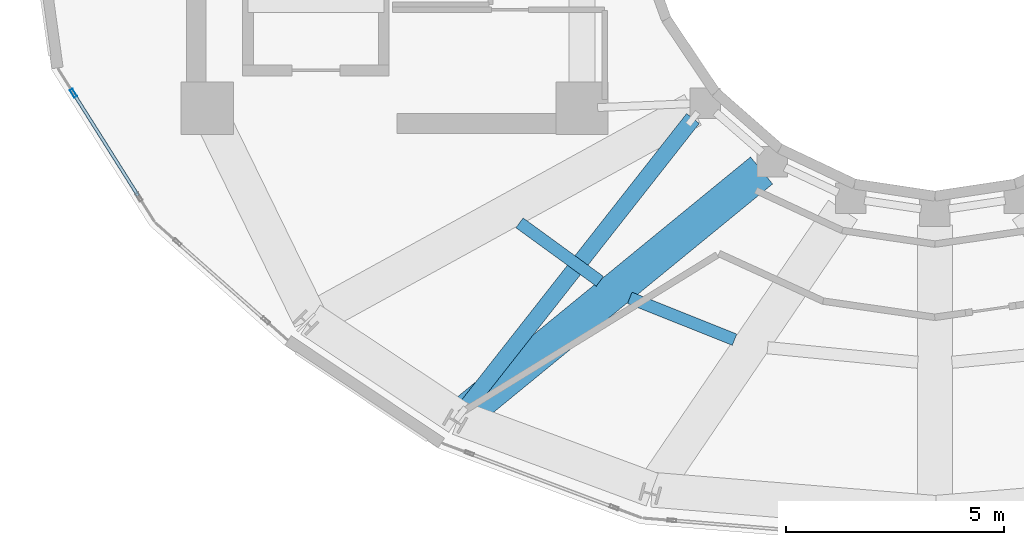
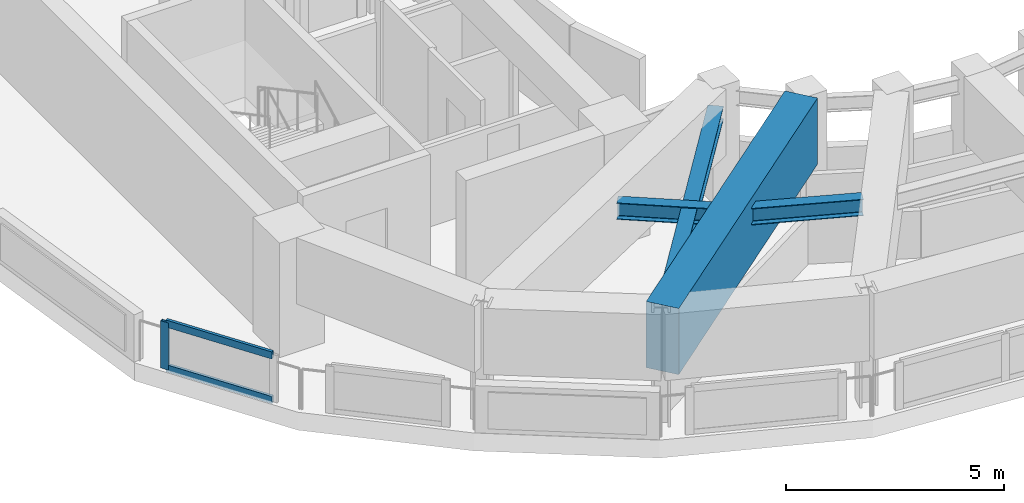
# One storey, part 3 of 21: 4 members, 3 beams, 1 element without a shape of its own.
"""IFC4 building model written with IfcOpenShell, lengths in metres."""

from ifc_helpers import new_model, si_unit, direction, frame, origin, origin_2d, place, context, subcontext, project, spatial, rectangle, hollow_rectangle, i_section, extrude, material, layer, layer_set, material_profile, profile_set, type_object, element, aggregate, save


model = new_model("IFC4")

# Units and contexts
model_context = context("Model", 3, precision=1e-05, world=origin(), true_north=direction((0.0, 1.0)))
body_context = subcontext(model_context, "Body", "Model", "MODEL_VIEW")
ifc_project = project(units=[si_unit("LENGTHUNIT", "METRE"), si_unit("AREAUNIT", "SQUARE_METRE"), si_unit("VOLUMEUNIT", "CUBIC_METRE"), si_unit("PLANEANGLEUNIT", "RADIAN"), si_unit("MASSUNIT", "GRAM", prefix="KILO")], contexts=[model_context])

# Site, building, storey
site_placement = place(None, origin())
site = spatial("IfcSite", under=ifc_project, at=site_placement, CompositionType="ELEMENT")
building_placement = place(site_placement, origin())
building = spatial("IfcBuilding", under=site, at=building_placement, Name="Solvane Sanctuary Tower", CompositionType="ELEMENT")
storey_placement = place(building_placement, frame((0.0, 0.0, 260.39990234375)))
storey = spatial("IfcBuildingStorey", under=building, at=storey_placement, Name="L79", CompositionType="ELEMENT", Elevation=260.39990234375)

# Beams
ifc_material_1 = material(Name="Steel ASTM A992 Grade 50", Category="steel")
ifc_material_profile_1 = material_profile(ifc_material_1, i_section(OverallWidth=0.280029296875, OverallDepth=0.462890625, WebThickness=0.0107421875, FlangeThickness=0.017333984375, FilletRadius=0.013916015625, at=origin_2d()), Name="W18X76")
ifc_profile_set_1 = profile_set([ifc_material_profile_1], Name="Steel ASTM A992 Grade 50")
beam_type_1 = type_object("IfcBeamType", Name="Beam B-SEC-JOIST W18X76", PredefinedType="JOIST", material=ifc_profile_set_1)
beam_1_placement = place(storey_placement, frame((22.46533203125, 14.26806640625, 2.70654296875), z_axis=(0.808675899107, -0.58825444342, 0.0), x_axis=(0.58825444342, 0.808675899107, 0.0)))
element("IfcBeam", 1, at=beam_1_placement, inside=storey, type_object=beam_type_1, Name="L79 Secondary Circumferential Joist 08-09", PredefinedType="JOIST", context=body_context, shape_type="SweptSolid", body=[
    extrude(i_section(OverallWidth=0.280029296875, OverallDepth=0.462890625, WebThickness=0.0107421875, FlangeThickness=0.017333984375, FilletRadius=0.013916015625, at=origin_2d()), origin(), (0.0, 0.0, 1.0), 2.280517578125),
])
beam_2_placement = place(storey_placement, frame((24.995849609375, 12.547607421875, 2.70654296875), z_axis=(0.92876903076, -0.370658990855, 0.0), x_axis=(0.370658990855, 0.92876903076, 0.0)))
element("IfcBeam", 2, at=beam_2_placement, inside=storey, type_object=beam_type_1, Name="L79 Secondary Circumferential Joist 09-10", PredefinedType="JOIST", context=body_context, shape_type="SweptSolid", body=[
    extrude(i_section(OverallWidth=0.280029296875, OverallDepth=0.462890625, WebThickness=0.0107421875, FlangeThickness=0.017333984375, FilletRadius=0.013916015625, at=origin_2d()), origin(), (0.0, 0.0, 1.0), 2.589111328125),
])
ifc_material_2 = material(Name="Concrete C70/85", Category="concrete")
ifc_material_profile_2 = material_profile(ifc_material_2, rectangle(XDim=0.800048828125, YDim=1.85009765625, at=origin_2d()), Name="RC800X1850")
ifc_profile_set_2 = profile_set([ifc_material_profile_2], Name="Concrete C70/85")
beam_type_2 = type_object("IfcBeamType", Name="Beam B-XFER-BLK RC800X1850", PredefinedType="BEAM", material=ifc_profile_set_2)
beam_3_placement = place(storey_placement, frame((28.022216796875, 15.470703125, 2.275146484375), z_axis=(-0.773916156075, -0.63328807297, 0.0), x_axis=(0.63328807297, -0.773916156075, 0.0)))
element("IfcBeam", 3, at=beam_3_placement, inside=storey, type_object=beam_type_2, Name="L79 Block-Shift Radial Transfer Girder 09A", PredefinedType="BEAM", context=body_context, shape_type="SweptSolid", body=[
    extrude(rectangle(XDim=0.800048828125, YDim=1.85009765625, at=origin_2d()), origin(), (0.0, 0.0, 1.0), 8.989501953125),
])

# Member
ifc_material_profile_3 = material_profile(ifc_material_1, i_section(OverallWidth=0.368896484375, OverallDepth=0.35595703125, WebThickness=0.01123046875, FlangeThickness=0.01806640625, FilletRadius=0.02490234375, at=origin_2d()), Name="W14X90")
ifc_profile_set_3 = profile_set([ifc_material_profile_3], Name="Steel ASTM A992 Grade 50")
member_type_1 = type_object("IfcMemberType", Name="Member M-CROWN-TIE W14X90", PredefinedType="CHORD", material=ifc_profile_set_3)
member_1_placement = place(storey_placement, frame((26.444091796875, 16.66015625, 2.540283203125), z_axis=(-0.617589777425, -0.786175324779, 0.022610296939), x_axis=(0.786376358311, -0.617747701809, 0.0)))
element("IfcMember", 4, at=member_1_placement, inside=storey, type_object=member_type_1, Name="L79 Crown Bracing Tie 08", PredefinedType="CHORD", context=body_context, shape_type="SweptSolid", body=[
    extrude(i_section(OverallWidth=0.368896484375, OverallDepth=0.35595703125, WebThickness=0.01123046875, FlangeThickness=0.01806640625, FilletRadius=0.02490234375, at=origin_2d()), origin(), (0.0, 0.0, 1.0), 8.61669921875),
])

# Curtain wall, members
ifc_material_3 = material(Name="Anodised Aluminium 6063-T6", Category="aluminium")
ifc_layer = layer(ifc_material_3, 0.219970703125, Name="Anodised Aluminium 6063-T6")
ifc_layer_set = layer_set([ifc_layer], Name="Anodised Aluminium 6063-T6")
curtain_wall_type = type_object("IfcCurtainWallType", Name="Curtain Wall CW-CROWN", PredefinedType="NOTDEFINED", material=ifc_layer_set)
curtain_wall_placement = place(storey_placement, origin())
curtain_wall = element("IfcCurtainWall", 5, at=curtain_wall_placement, inside=storey, type_object=curtain_wall_type, Name="L79 Crown Fritted Lantern Curtain Wall 13", PredefinedType="NOTDEFINED")
ifc_material_profile_4 = material_profile(ifc_material_3, hollow_rectangle(XDim=0.074951171875, YDim=0.199951171875, WallThickness=0.00390625, at=origin_2d()), Name="ALU200X75X4")
ifc_profile_set_4 = profile_set([ifc_material_profile_4], Name="Anodised Aluminium 6063-T6")
member_type_2 = type_object("IfcMemberType", Name="Member M-CW-MUL-1 ALU200X75X4", PredefinedType="MULLION", material=ifc_profile_set_4)
member_2_placement = place(storey_placement, frame((12.227294921875, 17.244140625, 0.0), z_axis=(0.0, 0.0, 1.0), x_axis=(0.845808282613, 0.533486971784, 0.0)))
member_2 = element("IfcMember", 6, at=member_2_placement, type_object=member_type_2, Name="CW-CROWN mullion 1", PredefinedType="MULLION", context=body_context, shape_type="SweptSolid", body=[
    extrude(hollow_rectangle(XDim=0.074951171875, YDim=0.199951171875, WallThickness=0.00390625, at=origin_2d()), origin(), (0.0, 0.0, 1.0), 1.320068359375),
])
ifc_material_profile_5 = material_profile(ifc_material_3, hollow_rectangle(XDim=0.074951171875, YDim=0.199951171875, WallThickness=0.00390625, at=origin_2d()), Name="ALU200X75X4")
ifc_profile_set_5 = profile_set([ifc_material_profile_5], Name="Anodised Aluminium 6063-T6")
member_type_3 = type_object("IfcMemberType", Name="Member M-CW-TRN-2 ALU200X75X4", PredefinedType="USERDEFINED", material=ifc_profile_set_5)
member_3_placement = place(storey_placement, frame((12.247314453125, 17.21240234375, 0.03759765625), z_axis=(0.533530760469, -0.845780661657, 0.0), x_axis=(0.845780661657, 0.533530760469, 0.0)))
member_3 = element("IfcMember", 7, at=member_3_placement, type_object=member_type_3, Name="CW-CROWN transom 1.1", ObjectType="TRANSOM", PredefinedType="USERDEFINED", context=body_context, shape_type="SweptSolid", body=[
    extrude(hollow_rectangle(XDim=0.074951171875, YDim=0.199951171875, WallThickness=0.00390625, at=origin_2d()), origin(), (0.0, 0.0, 1.0), 2.742919921875),
])
member_4_placement = place(storey_placement, frame((12.247314453125, 17.21240234375, 1.28271484375), z_axis=(0.533530760469, -0.845780661657, 0.0), x_axis=(0.845780661657, 0.533530760469, 0.0)))
member_4 = element("IfcMember", 8, at=member_4_placement, type_object=member_type_3, Name="CW-CROWN transom 1.2", ObjectType="TRANSOM", PredefinedType="USERDEFINED", context=body_context, shape_type="SweptSolid", body=[
    extrude(hollow_rectangle(XDim=0.074951171875, YDim=0.199951171875, WallThickness=0.00390625, at=origin_2d()), origin(), (0.0, 0.0, 1.0), 2.742919921875),
])
aggregate(curtain_wall, [member_2, member_3, member_4])

save(model, "model.ifc")
